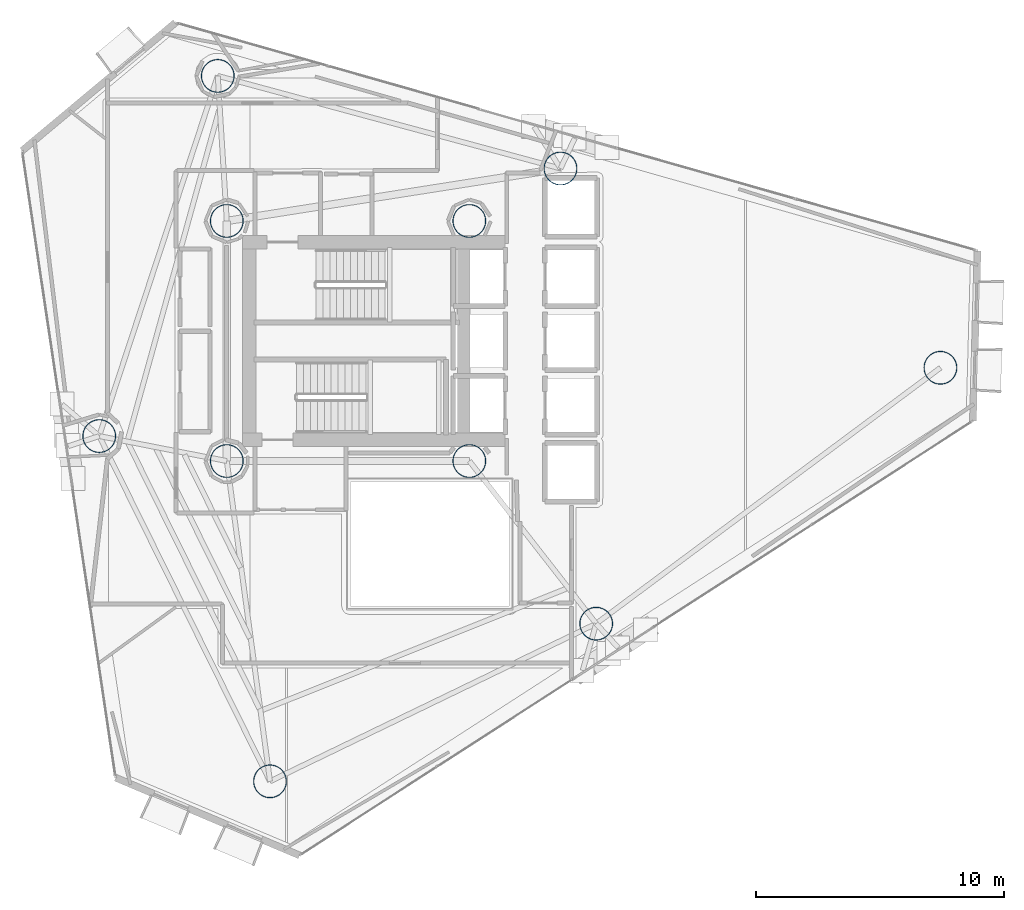
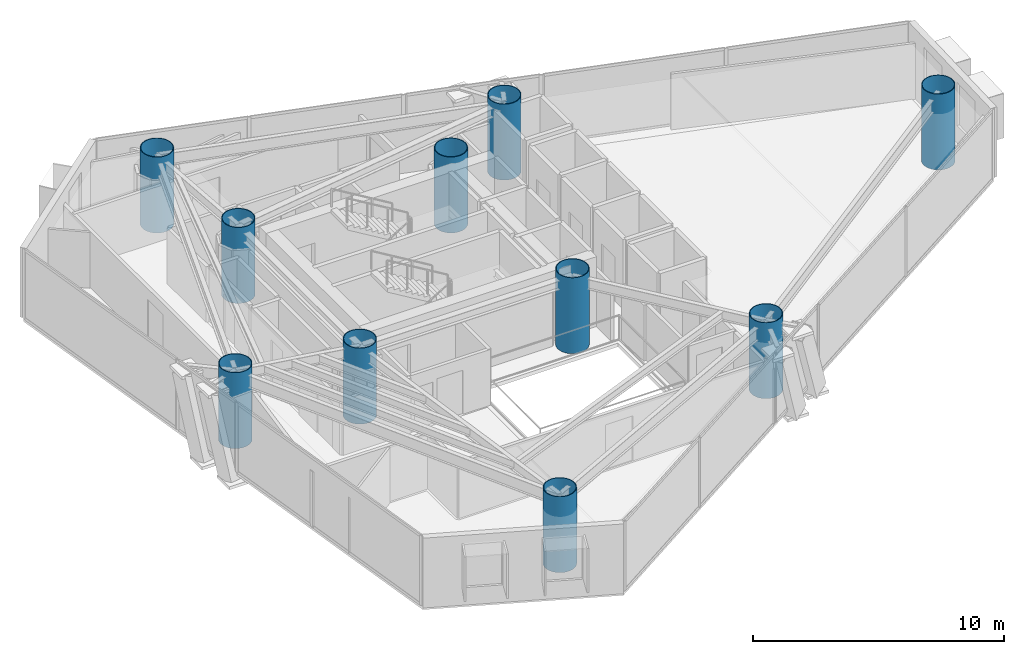
# One storey, part 1 of 22: 10 columns.
"""IFC4 building model written with IfcOpenShell, lengths in metres."""

from ifc_helpers import new_model, si_unit, direction, frame, origin, origin_2d, place, context, subcontext, project, spatial, hollow_circle, extrude, material, material_profile, profile_set, type_object, element, save


model = new_model("IFC4")

# Units and contexts
model_context = context("Model", 3, precision=1e-05, world=origin(), true_north=direction((0.0, 1.0)))
body_context = subcontext(model_context, "Body", "Model", "MODEL_VIEW")
ifc_project = project(units=[si_unit("LENGTHUNIT", "METRE"), si_unit("AREAUNIT", "SQUARE_METRE"), si_unit("VOLUMEUNIT", "CUBIC_METRE"), si_unit("PLANEANGLEUNIT", "RADIAN"), si_unit("MASSUNIT", "GRAM", prefix="KILO")], contexts=[model_context])

# Site, building, storey
site_placement = place(None, origin())
site = spatial("IfcSite", under=ifc_project, at=site_placement, CompositionType="ELEMENT")
building_placement = place(site_placement, origin())
building = spatial("IfcBuilding", under=site, at=building_placement, Name="Qianvela Tower", CompositionType="ELEMENT")
storey_placement = place(building_placement, frame((0.0, 0.0, 180.89990234375)))
storey = spatial("IfcBuildingStorey", under=building, at=storey_placement, Name="L46", CompositionType="ELEMENT", Elevation=180.89990234375)

# Columns
ifc_material = material(Name="Steel Q420GJC", Category="steel")
ifc_material_profile = material_profile(ifc_material, hollow_circle(Radius=0.675048828125, WallThickness=0.031982421875, at=origin_2d()), Name="CFT-1350x32")
ifc_profile_set = profile_set([ifc_material_profile], Name="Steel Q420GJC")
column_type = type_object("IfcColumnType", Name="COL-CFT-1350x32", PredefinedType="COLUMN", material=ifc_profile_set)
for number, where, z_axis, x_axis, name in (
    (1, (28.60009765625, 33.550048828125, 0.0), (0.0, 0.0, 1.0), (1.0, 0.0, 0.0), "L46 Core Corner Mega-Column CC-NW"),
    (2, (28.60009765625, 23.85009765625, 0.0), (0.0, 0.0, 1.0), (1.0, 0.0, 0.0), "L46 Core Corner Mega-Column CC-SW"),
    (3, (38.39990234375, 33.550048828125, 0.0), (0.0, 0.0, 1.0), (1.0, 0.0, 0.0), "L46 Core Corner Mega-Column CC-NE"),
    (4, (38.39990234375, 23.85009765625, 0.0), (0.0, 0.0, 1.0), (1.0, 0.0, 0.0), "L46 Core Corner Mega-Column CC-SE"),
    (5, (57.43408203125, 27.617919921875, 0.0), (0.0, 0.0, 1.0), (1.0, 0.0, 0.0), "L46 Zone Z4 CFT Mega-Column C1"),
    (6, (42.0830078125, 35.6689453125, 0.0), (0.0, 0.0, 1.0), (1.0, 0.0, 0.0), "L46 Zone Z4 CFT Mega-Column C2"),
    (7, (28.235107421875, 39.410888671875, 0.0), (0.0, 0.0, 1.0), (1.0, 0.0, 0.0), "L46 Zone Z4 CFT Mega-Column C3"),
    (8, (23.446044921875, 24.85888671875, 0.0), (0.0, 0.0, 1.0), (1.0, 0.0, 0.0), "L46 Zone Z4 CFT Mega-Column C4"),
    (9, (30.346923828125, 10.908935546875, 0.0), (0.0, 0.0, 1.0), (1.0, 0.0, 0.0), "L46 Zone Z4 CFT Mega-Column C5"),
    (10, (43.52490234375, 17.279052734375, 0.0), (0.0, 0.0, 1.0), (1.0, 0.0, 0.0), "L46 Zone Z4 CFT Mega-Column C6"),
):
    element("IfcColumn", number, at=place(storey_placement, frame(where, z_axis=z_axis, x_axis=x_axis)), inside=storey, type_object=column_type, Name=name, PredefinedType="COLUMN", context=body_context, shape_type="SweptSolid", body=[
        extrude(hollow_circle(Radius=0.675048828125, WallThickness=0.031982421875, at=origin_2d()), origin(), (0.0, 0.0, 1.0), 3.7001953125),
    ])

save(model, "model.ifc")
